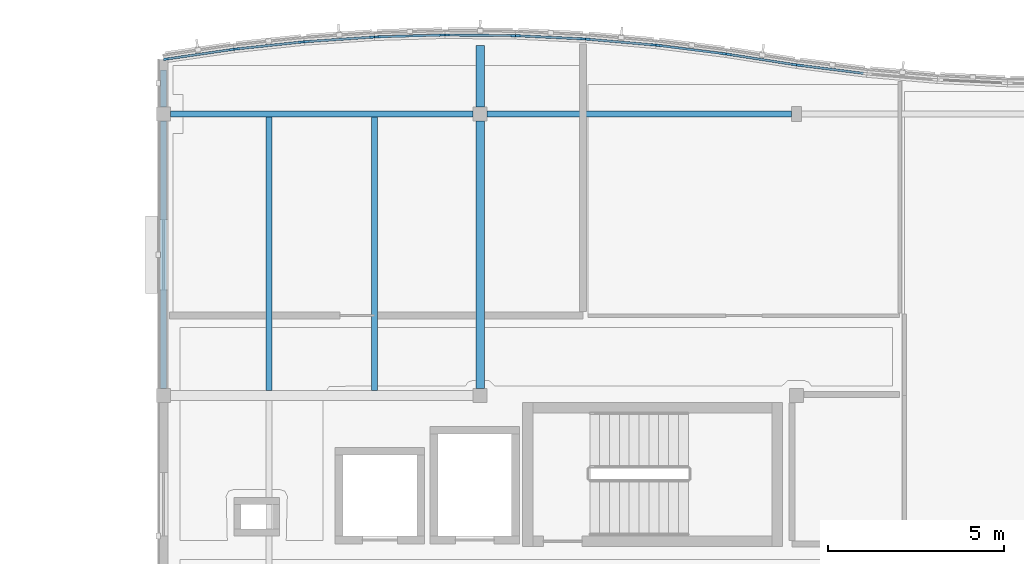
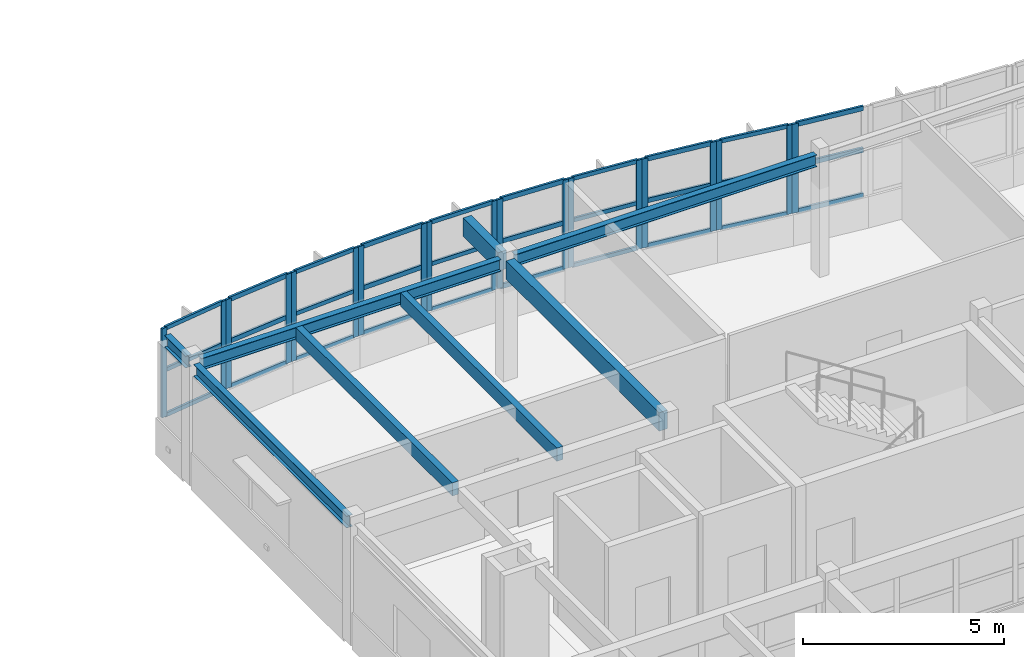
# One storey, part 14 of 63: 49 members, 8 beams, 10 elements without a shape of their own.
"""IFC4 building model written with IfcOpenShell, lengths in metres."""

from ifc_helpers import new_model, si_unit, direction, frame, origin, origin_2d, place, context, subcontext, project, spatial, rectangle, i_section, extrude, material, layer, layer_set, material_profile, profile_set, type_object, element, aggregate, save


model = new_model("IFC4")

# Units and contexts
model_context = context("Model", 3, precision=1e-05, world=origin(), true_north=direction((0.0, 1.0)))
body_context = subcontext(model_context, "Body", "Model", "MODEL_VIEW")
ifc_project = project(units=[si_unit("LENGTHUNIT", "METRE"), si_unit("AREAUNIT", "SQUARE_METRE"), si_unit("VOLUMEUNIT", "CUBIC_METRE"), si_unit("PLANEANGLEUNIT", "RADIAN"), si_unit("MASSUNIT", "GRAM", prefix="KILO")], contexts=[model_context])

# Site, building, storey
site_placement = place(None, origin())
site = spatial("IfcSite", under=ifc_project, at=site_placement, CompositionType="ELEMENT")
building_placement = place(site_placement, origin())
building = spatial("IfcBuilding", under=site, at=building_placement, Name="Tonlespit Floodbar School", CompositionType="ELEMENT")
storey_placement = place(building_placement, frame((0.0, 0.0, 8.39990234375)))
storey = spatial("IfcBuildingStorey", under=building, at=storey_placement, Name="L02", CompositionType="ELEMENT", Elevation=8.39990234375)

# Beams
ifc_material_1 = material(Name="Glulam GL28h", Category="wood")
ifc_material_profile_1 = material_profile(ifc_material_1, rectangle(XDim=0.239990234375, YDim=0.56005859375, at=origin_2d()), Name="GL 240x560")
ifc_profile_set_1 = profile_set([ifc_material_profile_1], Name="Glulam GL28h")
beam_type_1 = type_object("IfcBeamType", Name="Beam_GL_240x560", PredefinedType="BEAM", material=ifc_profile_set_1)
beam_1_placement = place(storey_placement, frame((53.0, 112.199951171875, 3.3701171875), z_axis=(0.0, 1.0, 0.0), x_axis=(-1.0, 0.0, 0.0)))
element("IfcBeam", 1, at=beam_1_placement, inside=storey, type_object=beam_type_1, Name="L02 girder 1036", PredefinedType="BEAM", context=body_context, shape_type="SweptSolid", body=[
    extrude(rectangle(XDim=0.239990234375, YDim=0.56005859375, at=origin_2d()), origin(), (0.0, 0.0, 1.0), 7.60009765625),
])
beam_2_placement = place(storey_placement, frame((53.0, 120.199951171875, 3.3701171875), z_axis=(0.0, 1.0, 0.0), x_axis=(-1.0, 0.0, 0.0)))
element("IfcBeam", 2, at=beam_2_placement, inside=storey, type_object=beam_type_1, Name="L02 north street wave cantilever bracket", PredefinedType="BEAM", context=body_context, shape_type="SweptSolid", body=[
    extrude(rectangle(XDim=0.239990234375, YDim=0.56005859375, at=origin_2d()), origin(), (0.0, 0.0, 1.0), 1.7470703125),
])

# Curtain wall, members
ifc_material_2 = material(Name="Anodised Aluminium", Category="aluminium")
ifc_layer_1 = layer(ifc_material_2, 0.159912109375)
ifc_layer_set_1 = layer_set([ifc_layer_1], Name="Anodised Aluminium")
curtain_wall_type_1 = type_object("IfcCurtainWallType", Name="CurtainWall_1950x2700", PredefinedType="NOTDEFINED", material=ifc_layer_set_1)
curtain_wall_1_placement = place(storey_placement, origin())
curtain_wall_1 = element("IfcCurtainWall", 3, at=curtain_wall_1_placement, inside=storey, type_object=curtain_wall_type_1, Name="L02 unitised curtain wall 0082", PredefinedType="NOTDEFINED")
ifc_material_profile_2 = material_profile(ifc_material_2, rectangle(XDim=0.06494140625, YDim=0.14990234375, at=origin_2d()), Name="ALU M65x150")
ifc_profile_set_2 = profile_set([ifc_material_profile_2], Name="Anodised Aluminium")
member_type_1 = type_object("IfcMemberType", Name="CW_Mullion_65x150", PredefinedType="MULLION", material=ifc_profile_set_2)
member_1_placement = place(storey_placement, frame((44.07177734375, 121.560546875, 0.9501953125), z_axis=(0.0, 0.0, 1.0), x_axis=(-0.144248041079, 0.989541561858, 0.0)))
member_1 = element("IfcMember", 4, at=member_1_placement, type_object=member_type_1, Name="CW-04 mullion 1", PredefinedType="MULLION", context=body_context, shape_type="SweptSolid", body=[
    extrude(rectangle(XDim=0.06494140625, YDim=0.14990234375, at=origin_2d()), origin(), (0.0, 0.0, 1.0), 2.699951171875),
])
member_2_placement = place(storey_placement, frame((45.92822265625, 121.8310546875, 0.9501953125), z_axis=(0.0, 0.0, 1.0), x_axis=(-0.144248041079, 0.989541561858, 0.0)))
member_2 = element("IfcMember", 5, at=member_2_placement, type_object=member_type_1, Name="CW-04 mullion 2", PredefinedType="MULLION", context=body_context, shape_type="SweptSolid", body=[
    extrude(rectangle(XDim=0.06494140625, YDim=0.14990234375, at=origin_2d()), origin(), (0.0, 0.0, 1.0), 2.699951171875),
])

ifc_layer_2 = layer(ifc_material_2, 0.159912109375)
ifc_layer_set_2 = layer_set([ifc_layer_2], Name="Anodised Aluminium")
curtain_wall_type_2 = type_object("IfcCurtainWallType", Name="CurtainWall_1900x2700", PredefinedType="NOTDEFINED", material=ifc_layer_set_2)
curtain_wall_2_placement = place(storey_placement, origin())
curtain_wall_2 = element("IfcCurtainWall", 6, at=curtain_wall_2_placement, inside=storey, type_object=curtain_wall_type_2, Name="L02 unitised curtain wall 0084", PredefinedType="NOTDEFINED")
member_3_placement = place(storey_placement, frame((48.072265625, 122.05908203125, 0.9501953125), z_axis=(0.0, 0.0, 1.0), x_axis=(-0.067339767311, 0.99773010165, 0.0)))
member_3 = element("IfcMember", 7, at=member_3_placement, type_object=member_type_1, Name="CW-05 mullion 1", PredefinedType="MULLION", context=body_context, shape_type="SweptSolid", body=[
    extrude(rectangle(XDim=0.06494140625, YDim=0.14990234375, at=origin_2d()), origin(), (0.0, 0.0, 1.0), 2.699951171875),
])
member_4_placement = place(storey_placement, frame((49.927734375, 122.184326171875, 0.9501953125), z_axis=(0.0, 0.0, 1.0), x_axis=(-0.067339767311, 0.99773010165, 0.0)))
member_4 = element("IfcMember", 8, at=member_4_placement, type_object=member_type_1, Name="CW-05 mullion 2", PredefinedType="MULLION", context=body_context, shape_type="SweptSolid", body=[
    extrude(rectangle(XDim=0.06494140625, YDim=0.14990234375, at=origin_2d()), origin(), (0.0, 0.0, 1.0), 2.699951171875),
])

curtain_wall_3_placement = place(storey_placement, origin())
curtain_wall_3 = element("IfcCurtainWall", 9, at=curtain_wall_3_placement, inside=storey, type_object=curtain_wall_type_2, Name="L02 unitised curtain wall 0086", PredefinedType="NOTDEFINED")
member_5_placement = place(storey_placement, frame((52.072509765625, 122.246337890625, 0.9501953125), z_axis=(0.0, 0.0, 1.0), x_axis=(0.009582893292, 0.999954083024, 0.0)))
member_5 = element("IfcMember", 10, at=member_5_placement, type_object=member_type_1, Name="CW-05 mullion 1", PredefinedType="MULLION", context=body_context, shape_type="SweptSolid", body=[
    extrude(rectangle(XDim=0.06494140625, YDim=0.14990234375, at=origin_2d()), origin(), (0.0, 0.0, 1.0), 2.699951171875),
])
member_6_placement = place(storey_placement, frame((53.927490234375, 122.228515625, 0.9501953125), z_axis=(0.0, 0.0, 1.0), x_axis=(0.009582893292, 0.999954083024, 0.0)))
member_6 = element("IfcMember", 11, at=member_6_placement, type_object=member_type_1, Name="CW-05 mullion 2", PredefinedType="MULLION", context=body_context, shape_type="SweptSolid", body=[
    extrude(rectangle(XDim=0.06494140625, YDim=0.14990234375, at=origin_2d()), origin(), (0.0, 0.0, 1.0), 2.699951171875),
])

curtain_wall_4_placement = place(storey_placement, origin())
curtain_wall_4 = element("IfcCurtainWall", 12, at=curtain_wall_4_placement, inside=storey, type_object=curtain_wall_type_1, Name="L02 unitised curtain wall 0088", PredefinedType="NOTDEFINED")
member_7_placement = place(storey_placement, frame((56.072265625, 122.125244140625, 0.9501953125), z_axis=(0.0, 0.0, 1.0), x_axis=(0.086531117454, 0.996249148412, 0.0)))
member_7 = element("IfcMember", 13, at=member_7_placement, type_object=member_type_1, Name="CW-04 mullion 1", PredefinedType="MULLION", context=body_context, shape_type="SweptSolid", body=[
    extrude(rectangle(XDim=0.06494140625, YDim=0.14990234375, at=origin_2d()), origin(), (0.0, 0.0, 1.0), 2.699951171875),
])
member_8_placement = place(storey_placement, frame((57.927734375, 121.964111328125, 0.9501953125), z_axis=(0.0, 0.0, 1.0), x_axis=(0.086531117454, 0.996249148412, 0.0)))
member_8 = element("IfcMember", 14, at=member_8_placement, type_object=member_type_1, Name="CW-04 mullion 2", PredefinedType="MULLION", context=body_context, shape_type="SweptSolid", body=[
    extrude(rectangle(XDim=0.06494140625, YDim=0.14990234375, at=origin_2d()), origin(), (0.0, 0.0, 1.0), 2.699951171875),
])

curtain_wall_5_placement = place(storey_placement, origin())
curtain_wall_5 = element("IfcCurtainWall", 15, at=curtain_wall_5_placement, inside=storey, type_object=curtain_wall_type_1, Name="L02 unitised curtain wall 0090", PredefinedType="NOTDEFINED")
member_9_placement = place(storey_placement, frame((60.071533203125, 121.694580078125, 0.9501953125), z_axis=(0.0, 0.0, 1.0), x_axis=(0.153796288585, 0.988102576465, 0.0)))
member_9 = element("IfcMember", 16, at=member_9_placement, type_object=member_type_1, Name="CW-04 mullion 1", PredefinedType="MULLION", context=body_context, shape_type="SweptSolid", body=[
    extrude(rectangle(XDim=0.06494140625, YDim=0.14990234375, at=origin_2d()), origin(), (0.0, 0.0, 1.0), 2.699951171875),
])
member_10_placement = place(storey_placement, frame((61.928466796875, 121.405517578125, 0.9501953125), z_axis=(0.0, 0.0, 1.0), x_axis=(0.153796288585, 0.988102576465, 0.0)))
member_10 = element("IfcMember", 17, at=member_10_placement, type_object=member_type_1, Name="CW-04 mullion 2", PredefinedType="MULLION", context=body_context, shape_type="SweptSolid", body=[
    extrude(rectangle(XDim=0.06494140625, YDim=0.14990234375, at=origin_2d()), origin(), (0.0, 0.0, 1.0), 2.699951171875),
])

curtain_wall_6_placement = place(storey_placement, origin())
curtain_wall_6 = element("IfcCurtainWall", 18, at=curtain_wall_6_placement, inside=storey, type_object=curtain_wall_type_1, Name="L02 unitised curtain wall 0083", PredefinedType="NOTDEFINED")
ifc_material_profile_3 = material_profile(ifc_material_2, rectangle(XDim=0.06494140625, YDim=0.179931640625, at=origin_2d()), Name="ALU M65x180")
ifc_profile_set_3 = profile_set([ifc_material_profile_3], Name="Anodised Aluminium")
member_type_2 = type_object("IfcMemberType", Name="CW_Mullion_65x180", PredefinedType="MULLION", material=ifc_profile_set_3)
member_11_placement = place(storey_placement, frame((46.072021484375, 121.84912109375, 0.9501953125), z_axis=(0.0, 0.0, 1.0), x_axis=(-0.105787143968, 0.994388797288, 0.0)))
member_11 = element("IfcMember", 19, at=member_11_placement, type_object=member_type_2, Name="CW-04 mullion 1", PredefinedType="MULLION", context=body_context, shape_type="SweptSolid", body=[
    extrude(rectangle(XDim=0.06494140625, YDim=0.179931640625, at=origin_2d()), origin(), (0.0, 0.0, 1.0), 2.699951171875),
])
member_12_placement = place(storey_placement, frame((47.927978515625, 122.046630859375, 0.9501953125), z_axis=(0.0, 0.0, 1.0), x_axis=(-0.105787143968, 0.994388797288, 0.0)))
member_12 = element("IfcMember", 20, at=member_12_placement, type_object=member_type_2, Name="CW-04 mullion 2", PredefinedType="MULLION", context=body_context, shape_type="SweptSolid", body=[
    extrude(rectangle(XDim=0.06494140625, YDim=0.179931640625, at=origin_2d()), origin(), (0.0, 0.0, 1.0), 2.699951171875),
])

curtain_wall_7_placement = place(storey_placement, origin())
curtain_wall_7 = element("IfcCurtainWall", 21, at=curtain_wall_7_placement, inside=storey, type_object=curtain_wall_type_2, Name="L02 unitised curtain wall 0085", PredefinedType="NOTDEFINED")
member_13_placement = place(storey_placement, frame((50.072509765625, 122.19140625, 0.9501953125), z_axis=(0.0, 0.0, 1.0), x_axis=(-0.028790144226, 0.999585477883, 0.0)))
member_13 = element("IfcMember", 22, at=member_13_placement, type_object=member_type_2, Name="CW-05 mullion 1", PredefinedType="MULLION", context=body_context, shape_type="SweptSolid", body=[
    extrude(rectangle(XDim=0.06494140625, YDim=0.179931640625, at=origin_2d()), origin(), (0.0, 0.0, 1.0), 2.699951171875),
])
member_14_placement = place(storey_placement, frame((51.927490234375, 122.244873046875, 0.9501953125), z_axis=(0.0, 0.0, 1.0), x_axis=(-0.028790144226, 0.999585477883, 0.0)))
member_14 = element("IfcMember", 23, at=member_14_placement, type_object=member_type_2, Name="CW-05 mullion 2", PredefinedType="MULLION", context=body_context, shape_type="SweptSolid", body=[
    extrude(rectangle(XDim=0.06494140625, YDim=0.179931640625, at=origin_2d()), origin(), (0.0, 0.0, 1.0), 2.699951171875),
])

curtain_wall_8_placement = place(storey_placement, origin())
curtain_wall_8 = element("IfcCurtainWall", 24, at=curtain_wall_8_placement, inside=storey, type_object=curtain_wall_type_2, Name="L02 unitised curtain wall 0087", PredefinedType="NOTDEFINED")
member_15_placement = place(storey_placement, frame((54.072509765625, 122.224365234375, 0.9501953125), z_axis=(0.0, 0.0, 1.0), x_axis=(0.048121270216, 0.998841500616, 0.0)))
member_15 = element("IfcMember", 25, at=member_15_placement, type_object=member_type_2, Name="CW-05 mullion 1", PredefinedType="MULLION", context=body_context, shape_type="SweptSolid", body=[
    extrude(rectangle(XDim=0.06494140625, YDim=0.179931640625, at=origin_2d()), origin(), (0.0, 0.0, 1.0), 2.699951171875),
])
member_16_placement = place(storey_placement, frame((55.927490234375, 122.135009765625, 0.9501953125), z_axis=(0.0, 0.0, 1.0), x_axis=(0.048121270216, 0.998841500616, 0.0)))
member_16 = element("IfcMember", 26, at=member_16_placement, type_object=member_type_2, Name="CW-05 mullion 2", PredefinedType="MULLION", context=body_context, shape_type="SweptSolid", body=[
    extrude(rectangle(XDim=0.06494140625, YDim=0.179931640625, at=origin_2d()), origin(), (0.0, 0.0, 1.0), 2.699951171875),
])

curtain_wall_9_placement = place(storey_placement, origin())
curtain_wall_9 = element("IfcCurtainWall", 27, at=curtain_wall_9_placement, inside=storey, type_object=curtain_wall_type_1, Name="L02 unitised curtain wall 0089", PredefinedType="NOTDEFINED")
member_17_placement = place(storey_placement, frame((58.072021484375, 121.94873046875, 0.9501953125), z_axis=(0.0, 0.0, 1.0), x_axis=(0.125013803299, 0.992155002499, 0.0)))
member_17 = element("IfcMember", 28, at=member_17_placement, type_object=member_type_2, Name="CW-04 mullion 1", PredefinedType="MULLION", context=body_context, shape_type="SweptSolid", body=[
    extrude(rectangle(XDim=0.06494140625, YDim=0.179931640625, at=origin_2d()), origin(), (0.0, 0.0, 1.0), 2.699951171875),
])
member_18_placement = place(storey_placement, frame((59.927978515625, 121.71484375, 0.9501953125), z_axis=(0.0, 0.0, 1.0), x_axis=(0.125013803299, 0.992155002499, 0.0)))
member_18 = element("IfcMember", 29, at=member_18_placement, type_object=member_type_2, Name="CW-04 mullion 2", PredefinedType="MULLION", context=body_context, shape_type="SweptSolid", body=[
    extrude(rectangle(XDim=0.06494140625, YDim=0.179931640625, at=origin_2d()), origin(), (0.0, 0.0, 1.0), 2.699951171875),
])

# Curtain wall, member
curtain_wall_10_placement = place(storey_placement, origin())
curtain_wall_10 = element("IfcCurtainWall", 30, at=curtain_wall_10_placement, inside=storey, type_object=curtain_wall_type_1, Name="L02 unitised curtain wall 0091", PredefinedType="NOTDEFINED")
member_19_placement = place(storey_placement, frame((62.072021484375, 121.38525390625, 0.9501953125), z_axis=(0.0, 0.0, 1.0), x_axis=(0.125013803299, 0.992155002499, 0.0)))
member_19 = element("IfcMember", 31, at=member_19_placement, type_object=member_type_2, Name="CW-04 mullion 1", PredefinedType="MULLION", context=body_context, shape_type="SweptSolid", body=[
    extrude(rectangle(XDim=0.06494140625, YDim=0.179931640625, at=origin_2d()), origin(), (0.0, 0.0, 1.0), 2.699951171875),
])

# Member
ifc_material_profile_4 = material_profile(ifc_material_2, rectangle(XDim=0.06494140625, YDim=0.1201171875, at=origin_2d()), Name="ALU T65x120")
ifc_profile_set_4 = profile_set([ifc_material_profile_4], Name="Anodised Aluminium")
member_type_3 = type_object("IfcMemberType", Name="CW_Transom_65x120", PredefinedType="USERDEFINED", material=ifc_profile_set_4)
member_20_placement = place(storey_placement, frame((44.10400390625, 121.565185546875, 0.982666015625), z_axis=(0.989541000818, 0.144251889765, 0.0), x_axis=(-0.144251889765, 0.989541000818, 0.0)))
member_20 = element("IfcMember", 32, at=member_20_placement, type_object=member_type_3, Name="CW-04 transom 1.1", ObjectType="TRANSOM", PredefinedType="USERDEFINED", context=body_context, shape_type="SweptSolid", body=[
    extrude(rectangle(XDim=0.06494140625, YDim=0.1201171875, at=origin_2d()), origin(), (0.0, 0.0, 1.0), 1.81103515625),
])

member_21_placement = place(storey_placement, frame((44.10400390625, 121.565185546875, 2.35400390625), z_axis=(0.989541000818, 0.144251889765, 0.0), x_axis=(-0.144251889765, 0.989541000818, 0.0)))
member_21 = element("IfcMember", 33, at=member_21_placement, type_object=member_type_3, Name="CW-04 transom 1.2", ObjectType="TRANSOM", PredefinedType="USERDEFINED", context=body_context, shape_type="SweptSolid", body=[
    extrude(rectangle(XDim=0.06494140625, YDim=0.1201171875, at=origin_2d()), origin(), (0.0, 0.0, 1.0), 1.81103515625),
])

member_22_placement = place(storey_placement, frame((44.10400390625, 121.565185546875, 3.61767578125), z_axis=(0.989541000818, 0.144251889765, 0.0), x_axis=(-0.144251889765, 0.989541000818, 0.0)))
member_22 = element("IfcMember", 34, at=member_22_placement, type_object=member_type_3, Name="CW-04 transom 1.3", ObjectType="TRANSOM", PredefinedType="USERDEFINED", context=body_context, shape_type="SweptSolid", body=[
    extrude(rectangle(XDim=0.06494140625, YDim=0.1201171875, at=origin_2d()), origin(), (0.0, 0.0, 1.0), 1.81103515625),
])

aggregate(curtain_wall_1, [member_1, member_2, member_20, member_21, member_22])

member_23_placement = place(storey_placement, frame((48.104736328125, 122.061279296875, 0.982666015625), z_axis=(0.997730041674, 0.067340655935, 0.0), x_axis=(-0.067340655935, 0.997730041674, 0.0)))
member_23 = element("IfcMember", 35, at=member_23_placement, type_object=member_type_3, Name="CW-05 transom 1.1", ObjectType="TRANSOM", PredefinedType="USERDEFINED", context=body_context, shape_type="SweptSolid", body=[
    extrude(rectangle(XDim=0.06494140625, YDim=0.1201171875, at=origin_2d()), origin(), (0.0, 0.0, 1.0), 1.794677734375),
])

member_24_placement = place(storey_placement, frame((48.104736328125, 122.061279296875, 2.35400390625), z_axis=(0.997730041674, 0.067340655935, 0.0), x_axis=(-0.067340655935, 0.997730041674, 0.0)))
member_24 = element("IfcMember", 36, at=member_24_placement, type_object=member_type_3, Name="CW-05 transom 1.2", ObjectType="TRANSOM", PredefinedType="USERDEFINED", context=body_context, shape_type="SweptSolid", body=[
    extrude(rectangle(XDim=0.06494140625, YDim=0.1201171875, at=origin_2d()), origin(), (0.0, 0.0, 1.0), 1.794677734375),
])

member_25_placement = place(storey_placement, frame((48.104736328125, 122.061279296875, 3.61767578125), z_axis=(0.997730041674, 0.067340655935, 0.0), x_axis=(-0.067340655935, 0.997730041674, 0.0)))
member_25 = element("IfcMember", 37, at=member_25_placement, type_object=member_type_3, Name="CW-05 transom 1.3", ObjectType="TRANSOM", PredefinedType="USERDEFINED", context=body_context, shape_type="SweptSolid", body=[
    extrude(rectangle(XDim=0.06494140625, YDim=0.1201171875, at=origin_2d()), origin(), (0.0, 0.0, 1.0), 1.794677734375),
])

aggregate(curtain_wall_2, [member_3, member_4, member_23, member_24, member_25])

member_26_placement = place(storey_placement, frame((52.10498046875, 122.24609375, 0.982666015625), z_axis=(0.999953117448, -0.009683124842, 0.0), x_axis=(0.009683124842, 0.999953117448, 0.0)))
member_26 = element("IfcMember", 38, at=member_26_placement, type_object=member_type_3, Name="CW-05 transom 1.1", ObjectType="TRANSOM", PredefinedType="USERDEFINED", context=body_context, shape_type="SweptSolid", body=[
    extrude(rectangle(XDim=0.06494140625, YDim=0.1201171875, at=origin_2d()), origin(), (0.0, 0.0, 1.0), 1.7900390625),
])

member_27_placement = place(storey_placement, frame((52.10498046875, 122.24609375, 2.35400390625), z_axis=(0.999953117448, -0.009683124842, 0.0), x_axis=(0.009683124842, 0.999953117448, 0.0)))
member_27 = element("IfcMember", 39, at=member_27_placement, type_object=member_type_3, Name="CW-05 transom 1.2", ObjectType="TRANSOM", PredefinedType="USERDEFINED", context=body_context, shape_type="SweptSolid", body=[
    extrude(rectangle(XDim=0.06494140625, YDim=0.1201171875, at=origin_2d()), origin(), (0.0, 0.0, 1.0), 1.7900390625),
])

member_28_placement = place(storey_placement, frame((52.10498046875, 122.24609375, 3.61767578125), z_axis=(0.999953117448, -0.009683124842, 0.0), x_axis=(0.009683124842, 0.999953117448, 0.0)))
member_28 = element("IfcMember", 40, at=member_28_placement, type_object=member_type_3, Name="CW-05 transom 1.3", ObjectType="TRANSOM", PredefinedType="USERDEFINED", context=body_context, shape_type="SweptSolid", body=[
    extrude(rectangle(XDim=0.06494140625, YDim=0.1201171875, at=origin_2d()), origin(), (0.0, 0.0, 1.0), 1.7900390625),
])

aggregate(curtain_wall_3, [member_5, member_6, member_26, member_27, member_28])

member_29_placement = place(storey_placement, frame((56.1044921875, 122.122314453125, 0.982666015625), z_axis=(0.996251281774, -0.086506552139, 0.0), x_axis=(0.086506552139, 0.996251281774, 0.0)))
member_29 = element("IfcMember", 41, at=member_29_placement, type_object=member_type_3, Name="CW-04 transom 1.1", ObjectType="TRANSOM", PredefinedType="USERDEFINED", context=body_context, shape_type="SweptSolid", body=[
    extrude(rectangle(XDim=0.06494140625, YDim=0.1201171875, at=origin_2d()), origin(), (0.0, 0.0, 1.0), 1.7978515625),
])

member_30_placement = place(storey_placement, frame((56.1044921875, 122.122314453125, 2.35400390625), z_axis=(0.996251281774, -0.086506552139, 0.0), x_axis=(0.086506552139, 0.996251281774, 0.0)))
member_30 = element("IfcMember", 42, at=member_30_placement, type_object=member_type_3, Name="CW-04 transom 1.2", ObjectType="TRANSOM", PredefinedType="USERDEFINED", context=body_context, shape_type="SweptSolid", body=[
    extrude(rectangle(XDim=0.06494140625, YDim=0.1201171875, at=origin_2d()), origin(), (0.0, 0.0, 1.0), 1.7978515625),
])

member_31_placement = place(storey_placement, frame((56.1044921875, 122.122314453125, 3.61767578125), z_axis=(0.996251281774, -0.086506552139, 0.0), x_axis=(0.086506552139, 0.996251281774, 0.0)))
member_31 = element("IfcMember", 43, at=member_31_placement, type_object=member_type_3, Name="CW-04 transom 1.3", ObjectType="TRANSOM", PredefinedType="USERDEFINED", context=body_context, shape_type="SweptSolid", body=[
    extrude(rectangle(XDim=0.06494140625, YDim=0.1201171875, at=origin_2d()), origin(), (0.0, 0.0, 1.0), 1.7978515625),
])

aggregate(curtain_wall_4, [member_7, member_8, member_29, member_30, member_31])

member_32_placement = place(storey_placement, frame((60.103759765625, 121.689453125, 0.982666015625), z_axis=(0.988097838313, -0.15382672694, 0.0), x_axis=(0.15382672694, 0.988097838313, 0.0)))
member_32 = element("IfcMember", 44, at=member_32_placement, type_object=member_type_3, Name="CW-04 transom 1.1", ObjectType="TRANSOM", PredefinedType="USERDEFINED", context=body_context, shape_type="SweptSolid", body=[
    extrude(rectangle(XDim=0.06494140625, YDim=0.1201171875, at=origin_2d()), origin(), (0.0, 0.0, 1.0), 1.81396484375),
])

member_33_placement = place(storey_placement, frame((60.103759765625, 121.689453125, 2.35400390625), z_axis=(0.988097838313, -0.15382672694, 0.0), x_axis=(0.15382672694, 0.988097838313, 0.0)))
member_33 = element("IfcMember", 45, at=member_33_placement, type_object=member_type_3, Name="CW-04 transom 1.2", ObjectType="TRANSOM", PredefinedType="USERDEFINED", context=body_context, shape_type="SweptSolid", body=[
    extrude(rectangle(XDim=0.06494140625, YDim=0.1201171875, at=origin_2d()), origin(), (0.0, 0.0, 1.0), 1.81396484375),
])

member_34_placement = place(storey_placement, frame((60.103759765625, 121.689453125, 3.61767578125), z_axis=(0.988097838313, -0.15382672694, 0.0), x_axis=(0.15382672694, 0.988097838313, 0.0)))
member_34 = element("IfcMember", 46, at=member_34_placement, type_object=member_type_3, Name="CW-04 transom 1.3", ObjectType="TRANSOM", PredefinedType="USERDEFINED", context=body_context, shape_type="SweptSolid", body=[
    extrude(rectangle(XDim=0.06494140625, YDim=0.1201171875, at=origin_2d()), origin(), (0.0, 0.0, 1.0), 1.81396484375),
])

aggregate(curtain_wall_5, [member_9, member_10, member_32, member_33, member_34])

ifc_material_profile_5 = material_profile(ifc_material_2, rectangle(XDim=0.06494140625, YDim=0.139892578125, at=origin_2d()), Name="ALU T65x140")
ifc_profile_set_5 = profile_set([ifc_material_profile_5], Name="Anodised Aluminium")
member_type_4 = type_object("IfcMemberType", Name="CW_Transom_65x140", PredefinedType="USERDEFINED", material=ifc_profile_set_5)
member_35_placement = place(storey_placement, frame((46.1044921875, 121.852783203125, 0.982666015625), z_axis=(0.994394979136, 0.105729019047, 0.0), x_axis=(-0.105729019047, 0.994394979136, 0.0)))
member_35 = element("IfcMember", 47, at=member_35_placement, type_object=member_type_4, Name="CW-04 transom 1.1", ObjectType="TRANSOM", PredefinedType="USERDEFINED", context=body_context, shape_type="SweptSolid", body=[
    extrude(rectangle(XDim=0.06494140625, YDim=0.139892578125, at=origin_2d()), origin(), (0.0, 0.0, 1.0), 1.801025390625),
])

member_36_placement = place(storey_placement, frame((46.1044921875, 121.852783203125, 2.35400390625), z_axis=(0.994394979136, 0.105729019047, 0.0), x_axis=(-0.105729019047, 0.994394979136, 0.0)))
member_36 = element("IfcMember", 48, at=member_36_placement, type_object=member_type_4, Name="CW-04 transom 1.2", ObjectType="TRANSOM", PredefinedType="USERDEFINED", context=body_context, shape_type="SweptSolid", body=[
    extrude(rectangle(XDim=0.06494140625, YDim=0.139892578125, at=origin_2d()), origin(), (0.0, 0.0, 1.0), 1.801025390625),
])

member_37_placement = place(storey_placement, frame((46.1044921875, 121.852783203125, 3.61767578125), z_axis=(0.994394979136, 0.105729019047, 0.0), x_axis=(-0.105729019047, 0.994394979136, 0.0)))
member_37 = element("IfcMember", 49, at=member_37_placement, type_object=member_type_4, Name="CW-04 transom 1.3", ObjectType="TRANSOM", PredefinedType="USERDEFINED", context=body_context, shape_type="SweptSolid", body=[
    extrude(rectangle(XDim=0.06494140625, YDim=0.139892578125, at=origin_2d()), origin(), (0.0, 0.0, 1.0), 1.801025390625),
])

aggregate(curtain_wall_6, [member_11, member_12, member_35, member_36, member_37])

member_38_placement = place(storey_placement, frame((50.10498046875, 122.1923828125, 0.982666015625), z_axis=(0.999586171543, 0.02876605049, 0.0), x_axis=(-0.02876605049, 0.999586171543, 0.0)))
member_38 = element("IfcMember", 50, at=member_38_placement, type_object=member_type_4, Name="CW-05 transom 1.1", ObjectType="TRANSOM", PredefinedType="USERDEFINED", context=body_context, shape_type="SweptSolid", body=[
    extrude(rectangle(XDim=0.06494140625, YDim=0.139892578125, at=origin_2d()), origin(), (0.0, 0.0, 1.0), 1.790771484375),
])

member_39_placement = place(storey_placement, frame((50.10498046875, 122.1923828125, 2.35400390625), z_axis=(0.999586171543, 0.02876605049, 0.0), x_axis=(-0.02876605049, 0.999586171543, 0.0)))
member_39 = element("IfcMember", 51, at=member_39_placement, type_object=member_type_4, Name="CW-05 transom 1.2", ObjectType="TRANSOM", PredefinedType="USERDEFINED", context=body_context, shape_type="SweptSolid", body=[
    extrude(rectangle(XDim=0.06494140625, YDim=0.139892578125, at=origin_2d()), origin(), (0.0, 0.0, 1.0), 1.790771484375),
])

member_40_placement = place(storey_placement, frame((50.10498046875, 122.1923828125, 3.61767578125), z_axis=(0.999586171543, 0.02876605049, 0.0), x_axis=(-0.02876605049, 0.999586171543, 0.0)))
member_40 = element("IfcMember", 52, at=member_40_placement, type_object=member_type_4, Name="CW-05 transom 1.3", ObjectType="TRANSOM", PredefinedType="USERDEFINED", context=body_context, shape_type="SweptSolid", body=[
    extrude(rectangle(XDim=0.06494140625, YDim=0.139892578125, at=origin_2d()), origin(), (0.0, 0.0, 1.0), 1.790771484375),
])

aggregate(curtain_wall_7, [member_13, member_14, member_38, member_39, member_40])

member_41_placement = place(storey_placement, frame((54.10498046875, 122.22265625, 0.982666015625), z_axis=(0.998843034795, -0.048089415069, 0.0), x_axis=(0.048089415069, 0.998843034795, 0.0)))
member_41 = element("IfcMember", 53, at=member_41_placement, type_object=member_type_4, Name="CW-05 transom 1.1", ObjectType="TRANSOM", PredefinedType="USERDEFINED", context=body_context, shape_type="SweptSolid", body=[
    extrude(rectangle(XDim=0.06494140625, YDim=0.139892578125, at=origin_2d()), origin(), (0.0, 0.0, 1.0), 1.7919921875),
])

member_42_placement = place(storey_placement, frame((54.10498046875, 122.22265625, 2.35400390625), z_axis=(0.998843034795, -0.048089415069, 0.0), x_axis=(0.048089415069, 0.998843034795, 0.0)))
member_42 = element("IfcMember", 54, at=member_42_placement, type_object=member_type_4, Name="CW-05 transom 1.2", ObjectType="TRANSOM", PredefinedType="USERDEFINED", context=body_context, shape_type="SweptSolid", body=[
    extrude(rectangle(XDim=0.06494140625, YDim=0.139892578125, at=origin_2d()), origin(), (0.0, 0.0, 1.0), 1.7919921875),
])

member_43_placement = place(storey_placement, frame((54.10498046875, 122.22265625, 3.61767578125), z_axis=(0.998843034795, -0.048089415069, 0.0), x_axis=(0.048089415069, 0.998843034795, 0.0)))
member_43 = element("IfcMember", 55, at=member_43_placement, type_object=member_type_4, Name="CW-05 transom 1.3", ObjectType="TRANSOM", PredefinedType="USERDEFINED", context=body_context, shape_type="SweptSolid", body=[
    extrude(rectangle(XDim=0.06494140625, YDim=0.139892578125, at=origin_2d()), origin(), (0.0, 0.0, 1.0), 1.7919921875),
])

aggregate(curtain_wall_8, [member_15, member_16, member_41, member_42, member_43])

member_44_placement = place(storey_placement, frame((58.104248046875, 121.944580078125, 0.982666015625), z_axis=(0.992148373735, -0.125066400341, 0.0), x_axis=(0.125066400341, 0.992148373735, 0.0)))
member_44 = element("IfcMember", 56, at=member_44_placement, type_object=member_type_4, Name="CW-04 transom 1.1", ObjectType="TRANSOM", PredefinedType="USERDEFINED", context=body_context, shape_type="SweptSolid", body=[
    extrude(rectangle(XDim=0.06494140625, YDim=0.139892578125, at=origin_2d()), origin(), (0.0, 0.0, 1.0), 1.8056640625),
])

member_45_placement = place(storey_placement, frame((58.104248046875, 121.944580078125, 2.35400390625), z_axis=(0.992148373735, -0.125066400341, 0.0), x_axis=(0.125066400341, 0.992148373735, 0.0)))
member_45 = element("IfcMember", 57, at=member_45_placement, type_object=member_type_4, Name="CW-04 transom 1.2", ObjectType="TRANSOM", PredefinedType="USERDEFINED", context=body_context, shape_type="SweptSolid", body=[
    extrude(rectangle(XDim=0.06494140625, YDim=0.139892578125, at=origin_2d()), origin(), (0.0, 0.0, 1.0), 1.8056640625),
])

member_46_placement = place(storey_placement, frame((58.104248046875, 121.944580078125, 3.61767578125), z_axis=(0.992148373735, -0.125066400341, 0.0), x_axis=(0.125066400341, 0.992148373735, 0.0)))
member_46 = element("IfcMember", 58, at=member_46_placement, type_object=member_type_4, Name="CW-04 transom 1.3", ObjectType="TRANSOM", PredefinedType="USERDEFINED", context=body_context, shape_type="SweptSolid", body=[
    extrude(rectangle(XDim=0.06494140625, YDim=0.139892578125, at=origin_2d()), origin(), (0.0, 0.0, 1.0), 1.8056640625),
])

aggregate(curtain_wall_9, [member_17, member_18, member_44, member_45, member_46])

member_47_placement = place(storey_placement, frame((62.104248046875, 121.381103515625, 0.982666015625), z_axis=(0.992165142165, -0.124933304901, 0.0), x_axis=(0.124933304901, 0.992165142165, 0.0)))
member_47 = element("IfcMember", 59, at=member_47_placement, type_object=member_type_4, Name="CW-04 transom 1.1", ObjectType="TRANSOM", PredefinedType="USERDEFINED", context=body_context, shape_type="SweptSolid", body=[
    extrude(rectangle(XDim=0.06494140625, YDim=0.139892578125, at=origin_2d()), origin(), (0.0, 0.0, 1.0), 1.8056640625),
])

member_48_placement = place(storey_placement, frame((62.104248046875, 121.381103515625, 2.35400390625), z_axis=(0.992165142165, -0.124933304901, 0.0), x_axis=(0.124933304901, 0.992165142165, 0.0)))
member_48 = element("IfcMember", 60, at=member_48_placement, type_object=member_type_4, Name="CW-04 transom 1.2", ObjectType="TRANSOM", PredefinedType="USERDEFINED", context=body_context, shape_type="SweptSolid", body=[
    extrude(rectangle(XDim=0.06494140625, YDim=0.139892578125, at=origin_2d()), origin(), (0.0, 0.0, 1.0), 1.8056640625),
])

member_49_placement = place(storey_placement, frame((62.104248046875, 121.381103515625, 3.61767578125), z_axis=(0.992165142165, -0.124933304901, 0.0), x_axis=(0.124933304901, 0.992165142165, 0.0)))
member_49 = element("IfcMember", 61, at=member_49_placement, type_object=member_type_4, Name="CW-04 transom 1.3", ObjectType="TRANSOM", PredefinedType="USERDEFINED", context=body_context, shape_type="SweptSolid", body=[
    extrude(rectangle(XDim=0.06494140625, YDim=0.139892578125, at=origin_2d()), origin(), (0.0, 0.0, 1.0), 1.8056640625),
])

aggregate(curtain_wall_10, [member_19, member_47, member_48, member_49])

# Beams
ifc_material_profile_6 = material_profile(ifc_material_1, rectangle(XDim=0.179931640625, YDim=0.39990234375, at=origin_2d()), Name="GL 180x400")
ifc_profile_set_6 = profile_set([ifc_material_profile_6], Name="Glulam GL28h")
beam_type_2 = type_object("IfcBeamType", Name="Joist_GL_180x400", PredefinedType="JOIST", material=ifc_profile_set_6)
for number, where, z_axis, x_axis, name in (
    (62, (47.0, 112.139892578125, 3.4501953125), (0.0, 1.0, 0.0), (-1.0, 0.0, 0.0), "L02 secondary joist 1125"),
    (63, (50.0, 112.139892578125, 3.4501953125), (0.0, 1.0, 0.0), (-1.0, 0.0, 0.0), "L02 secondary joist 1126"),
):
    element("IfcBeam", number, at=place(storey_placement, frame(where, z_axis=z_axis, x_axis=x_axis)), inside=storey, type_object=beam_type_2, Name=name, PredefinedType="JOIST", context=body_context, shape_type="SweptSolid", body=[
        extrude(rectangle(XDim=0.179931640625, YDim=0.39990234375, at=origin_2d()), origin(), (0.0, 0.0, 1.0), 7.775146484375),
    ])
ifc_material_3 = material(Name="Steel S355", Category="steel")
ifc_material_profile_7 = material_profile(ifc_material_3, i_section(OverallWidth=0.169921875, OverallDepth=0.360107421875, WebThickness=0.008056640625, FlangeThickness=0.0126953125, at=origin_2d()), Name="IPE 360")
ifc_profile_set_7 = profile_set([ifc_material_profile_7], Name="Steel S355")
beam_type_3 = type_object("IfcBeamType", Name="Spandrel_STL_IPE360", PredefinedType="SPANDREL", material=ifc_profile_set_7)
beam_3_placement = place(storey_placement, frame((44.199951171875, 120.0, 3.47021484375), z_axis=(1.0, 0.0, 0.0), x_axis=(0.0, 1.0, 0.0)))
element("IfcBeam", 64, at=beam_3_placement, inside=storey, type_object=beam_type_3, Name="L02 girder 0983", PredefinedType="SPANDREL", context=body_context, shape_type="SweptSolid", body=[
    extrude(i_section(OverallWidth=0.169921875, OverallDepth=0.360107421875, WebThickness=0.008056640625, FlangeThickness=0.0126953125, at=origin_2d()), origin(), (0.0, 0.0, 1.0), 8.60009765625),
])
beam_4_placement = place(storey_placement, frame((53.199951171875, 120.0, 3.47021484375), z_axis=(1.0, 0.0, 0.0), x_axis=(0.0, 1.0, 0.0)))
element("IfcBeam", 65, at=beam_4_placement, inside=storey, type_object=beam_type_3, Name="L02 girder 0984", PredefinedType="SPANDREL", context=body_context, shape_type="SweptSolid", body=[
    extrude(i_section(OverallWidth=0.169921875, OverallDepth=0.360107421875, WebThickness=0.008056640625, FlangeThickness=0.0126953125, at=origin_2d()), origin(), (0.0, 0.0, 1.0), 8.66015625),
])
beam_5_placement = place(storey_placement, frame((44.0, 112.199951171875, 3.47021484375), z_axis=(0.0, 1.0, 0.0), x_axis=(-1.0, 0.0, 0.0)))
element("IfcBeam", 66, at=beam_5_placement, inside=storey, type_object=beam_type_3, Name="L02 girder 1034", PredefinedType="SPANDREL", context=body_context, shape_type="SweptSolid", body=[
    extrude(i_section(OverallWidth=0.169921875, OverallDepth=0.360107421875, WebThickness=0.008056640625, FlangeThickness=0.0126953125, at=origin_2d()), origin(), (0.0, 0.0, 1.0), 7.60009765625),
])
beam_6_placement = place(storey_placement, frame((44.0, 120.199951171875, 3.47021484375), z_axis=(0.0, 1.0, 0.0), x_axis=(-1.0, 0.0, 0.0)))
element("IfcBeam", 67, at=beam_6_placement, inside=storey, type_object=beam_type_3, Name="L02 north street wave cantilever bracket", PredefinedType="SPANDREL", context=body_context, shape_type="SweptSolid", body=[
    extrude(i_section(OverallWidth=0.169921875, OverallDepth=0.360107421875, WebThickness=0.008056640625, FlangeThickness=0.0126953125, at=origin_2d()), origin(), (0.0, 0.0, 1.0), 1.050048828125),
])

save(model, "model.ifc")
